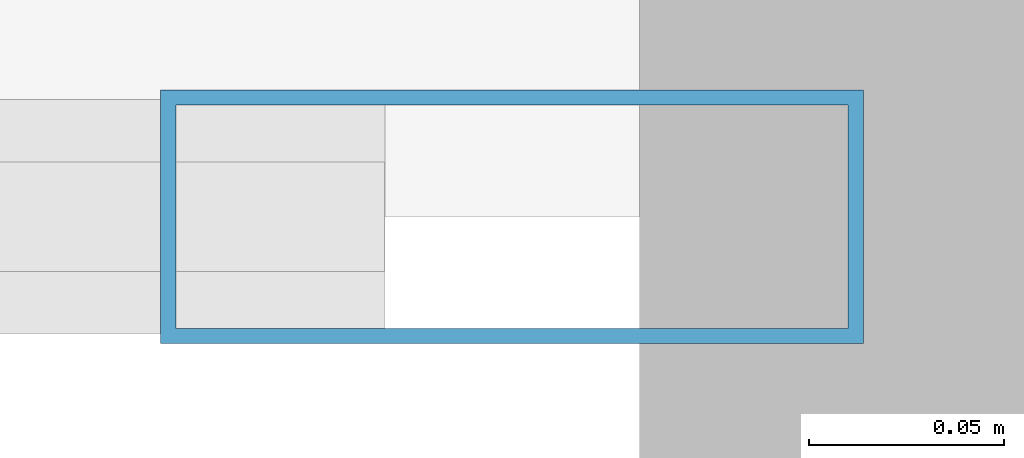
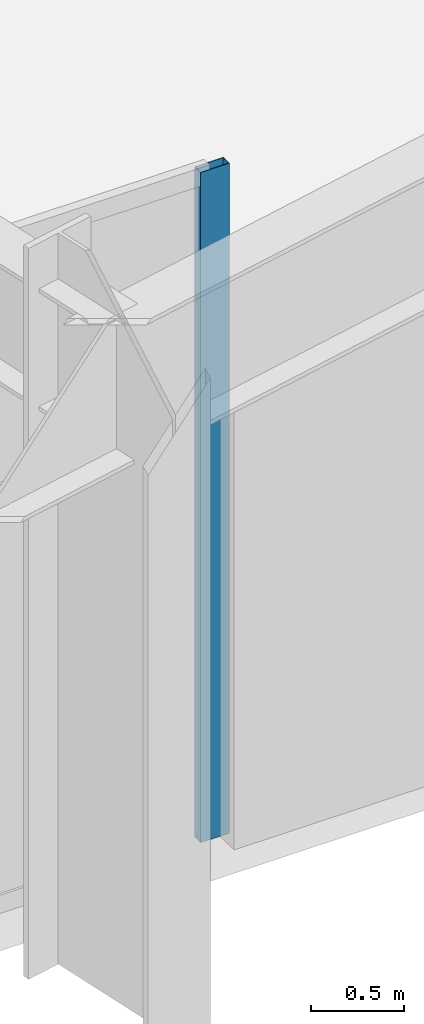
# One storey, part 14 of 30: 1 member, 1 element without a shape of its own.
"""IFC4 building model written with IfcOpenShell, lengths in metres."""

from ifc_helpers import new_model, si_unit, direction, frame, origin, origin_2d, place, context, subcontext, project, spatial, hollow_rectangle, extrude, material, layer, layer_set, material_profile, profile_set, type_object, element, aggregate, save


model = new_model("IFC4")

# Units and contexts
model_context = context("Model", 3, precision=1e-05, world=origin(), true_north=direction((0.0, 1.0)))
body_context = subcontext(model_context, "Body", "Model", "MODEL_VIEW")
ifc_project = project(units=[si_unit("LENGTHUNIT", "METRE"), si_unit("AREAUNIT", "SQUARE_METRE"), si_unit("VOLUMEUNIT", "CUBIC_METRE"), si_unit("PLANEANGLEUNIT", "RADIAN"), si_unit("MASSUNIT", "GRAM", prefix="KILO")], contexts=[model_context])

# Site, building, storey
site_placement = place(None, origin())
site = spatial("IfcSite", under=ifc_project, at=site_placement, CompositionType="ELEMENT")
building_placement = place(site_placement, origin())
building = spatial("IfcBuilding", under=site, at=building_placement, Name="Haevon Station Towers", CompositionType="ELEMENT")
storey_placement = place(building_placement, frame((0.0, 0.0, 15.60009765625)))
storey = spatial("IfcBuildingStorey", under=building, at=storey_placement, Name="L03", CompositionType="ELEMENT", Elevation=15.60009765625)

# Curtain wall, member
ifc_material_1 = material(Name="Anodised aluminium and Low-E double glazing", Category="aluminium")
ifc_layer = layer(ifc_material_1, 0.179931640625)
ifc_layer_set = layer_set([ifc_layer], Name="Anodised aluminium and Low-E double glazing")
curtain_wall_type = type_object("IfcCurtainWallType", Name="CW-SYS2", PredefinedType="NOTDEFINED", material=ifc_layer_set)
curtain_wall_placement = place(storey_placement, origin())
curtain_wall = element("IfcCurtainWall", 1, at=curtain_wall_placement, inside=storey, type_object=curtain_wall_type, Name="L03 Curtain Wall CW-POD-L03-S1", PredefinedType="NOTDEFINED")
ifc_material_2 = material(Name="Anodised aluminium 6063-T6", Category="aluminium")
ifc_material_profile = material_profile(ifc_material_2, hollow_rectangle(XDim=0.06494140625, YDim=0.179931640625, WallThickness=0.00390625, at=origin_2d()), Name="CWM-180x65x4")
ifc_profile_set = profile_set([ifc_material_profile], Name="Anodised aluminium 6063-T6")
member_type = type_object("IfcMemberType", Name="CWM-180", PredefinedType="MULLION", material=ifc_profile_set)
member_placement = place(storey_placement, frame((104.967529296875, 15.0, 0.0), z_axis=(0.0, 0.0, 1.0), x_axis=(0.0, -1.0, 0.0)))
member = element("IfcMember", 2, at=member_placement, type_object=member_type, Name="CW-SYS2 mullion 1", PredefinedType="MULLION", context=body_context, shape_type="SweptSolid", body=[
    extrude(hollow_rectangle(XDim=0.06494140625, YDim=0.179931640625, WallThickness=0.00390625, at=origin_2d()), origin(), (0.0, 0.0, 1.0), 4.39990234375),
])
aggregate(curtain_wall, [member])

save(model, "model.ifc")
